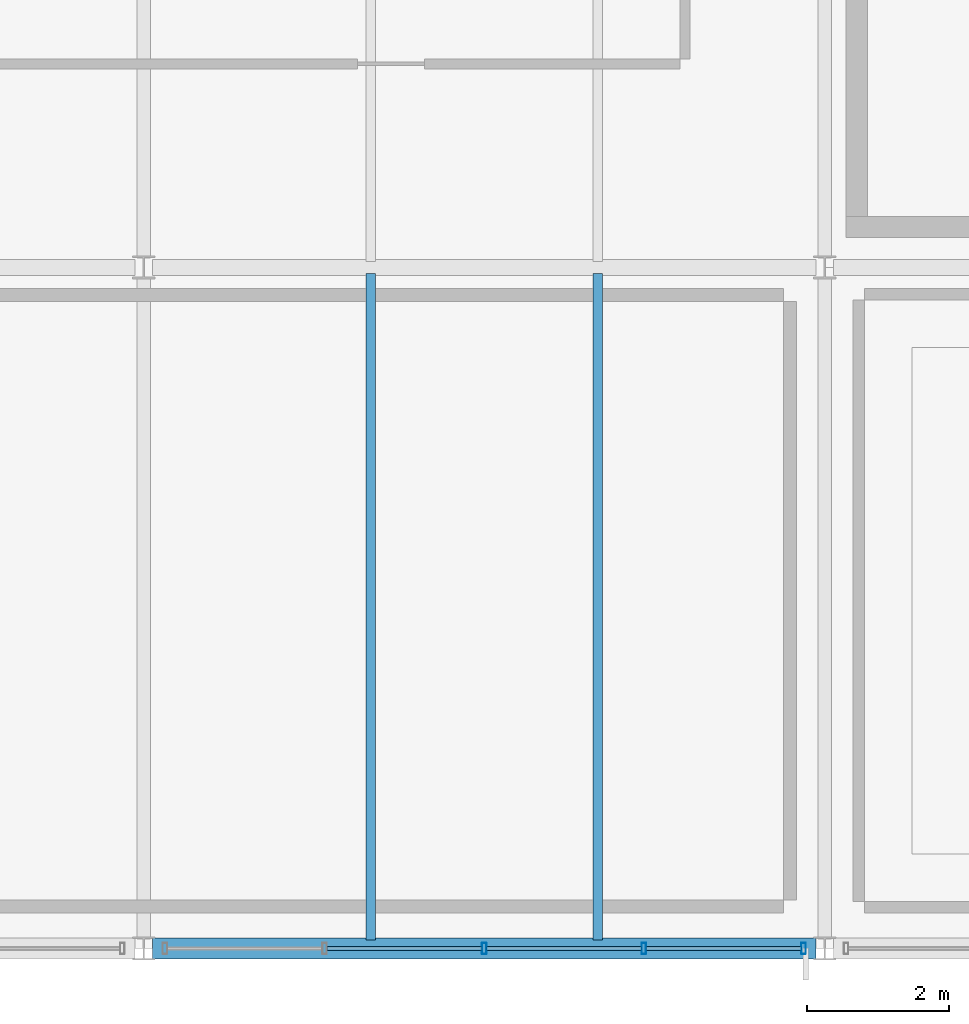
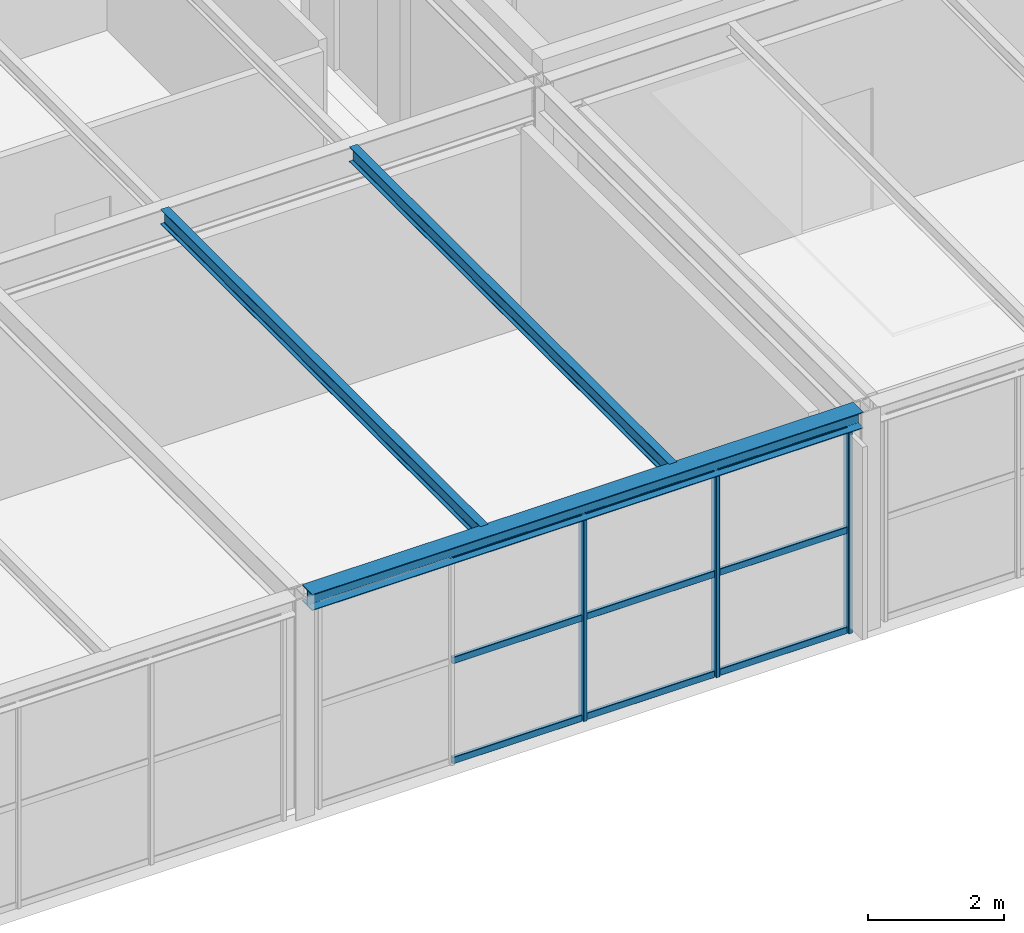
# One storey, part 20 of 50: 12 members, 3 beams, 1 element without a shape of its own.
"""IFC4 building model written with IfcOpenShell, lengths in metres."""

from ifc_helpers import new_model, si_unit, direction, frame, origin, origin_2d, place, context, subcontext, project, spatial, hollow_rectangle, i_section, extrude, material, material_profile, profile_set, type_object, element, aggregate, save


model = new_model("IFC4")

# Units and contexts
model_context = context("Model", 3, precision=1e-05, world=origin(), true_north=direction((0.0, 1.0)))
body_context = subcontext(model_context, "Body", "Model", "MODEL_VIEW")
ifc_project = project(units=[si_unit("LENGTHUNIT", "METRE"), si_unit("AREAUNIT", "SQUARE_METRE"), si_unit("VOLUMEUNIT", "CUBIC_METRE"), si_unit("PLANEANGLEUNIT", "RADIAN"), si_unit("MASSUNIT", "GRAM", prefix="KILO")], contexts=[model_context])

# Site, building, storey
site_placement = place(None, origin())
site = spatial("IfcSite", under=ifc_project, at=site_placement, CompositionType="ELEMENT")
building_placement = place(site_placement, origin())
building = spatial("IfcBuilding", under=site, at=building_placement, Name="Coralgate Yard Interchange", CompositionType="ELEMENT")
storey_placement = place(building_placement, frame((0.0, 0.0, 14.699951171875)))
storey = spatial("IfcBuildingStorey", under=building, at=storey_placement, Name="L03", CompositionType="ELEMENT", Elevation=14.699951171875)

# Beams
ifc_material_1 = material(Name="Structural steel S355J2", Category="steel")
ifc_material_profile_1 = material_profile(ifc_material_1, i_section(OverallWidth=0.135009765625, OverallDepth=0.27001953125, WebThickness=0.006591796875, FlangeThickness=0.01025390625, FilletRadius=0.014892578125, at=origin_2d()), Name="IPE 270")
ifc_profile_set_1 = profile_set([ifc_material_profile_1], Name="Structural steel S355J2")
beam_type_1 = type_object("IfcBeamType", Name="BM-SJ-3", PredefinedType="JOIST", material=ifc_profile_set_1)
for number, where, z_axis, x_axis, name in (
    (1, (41.60009765625, 0.1201171875, 3.81494140625), (0.0, 1.0, 0.0), (-1.0, 0.0, 0.0), "L03 composite floor joist 4-0-1"),
    (2, (44.800048828125, 0.1201171875, 3.81494140625), (0.0, 1.0, 0.0), (-1.0, 0.0, 0.0), "L03 composite floor joist 4-0-2"),
):
    element("IfcBeam", number, at=place(storey_placement, frame(where, z_axis=z_axis, x_axis=x_axis)), inside=storey, type_object=beam_type_1, Name=name, PredefinedType="JOIST", context=body_context, shape_type="SweptSolid", body=[
        extrude(i_section(OverallWidth=0.135009765625, OverallDepth=0.27001953125, WebThickness=0.006591796875, FlangeThickness=0.01025390625, FilletRadius=0.014892578125, at=origin_2d()), origin(), (0.0, 0.0, 1.0), 9.395751953125),
    ])
ifc_material_profile_2 = material_profile(ifc_material_1, i_section(OverallWidth=0.300048828125, OverallDepth=0.2900390625, WebThickness=0.008544921875, FlangeThickness=0.013916015625, FilletRadius=0.027099609375, at=origin_2d()), Name="HEA 300")
ifc_profile_set_2 = profile_set([ifc_material_profile_2], Name="Structural steel S355J2")
beam_type_2 = type_object("IfcBeamType", Name="BM-SP-2", PredefinedType="SPANDREL", material=ifc_profile_set_2)
beam_placement = place(storey_placement, frame((38.525634765625, 0.0, 3.804931640625), z_axis=(1.0, 0.0, 0.0), x_axis=(0.0, 1.0, 0.0)))
element("IfcBeam", 3, at=beam_placement, inside=storey, type_object=beam_type_2, Name="L03 primary grid beam Y0 X4-5", PredefinedType="SPANDREL", context=body_context, shape_type="SweptSolid", body=[
    extrude(i_section(OverallWidth=0.300048828125, OverallDepth=0.2900390625, WebThickness=0.008544921875, FlangeThickness=0.013916015625, FilletRadius=0.027099609375, at=origin_2d()), origin(), (0.0, 0.0, 1.0), 9.348876953125),
])

# Curtain wall, members
ifc_material_2 = material(Name="Anodised coastal aluminium and solar-control low-E glass", Category="aluminium")
curtain_wall_type = type_object("IfcCurtainWallType", Name="CW-CW-L03-A", PredefinedType="NOTDEFINED", material=ifc_material_2)
curtain_wall_placement = place(storey_placement, origin())
curtain_wall = element("IfcCurtainWall", 4, at=curtain_wall_placement, inside=storey, type_object=curtain_wall_type, Name="L03 unitised curtain wall CW-L03-S-04-00", PredefinedType="NOTDEFINED")
ifc_material_3 = material(Name="Anodised coastal aluminium 6063-T6", Category="aluminium")
ifc_material_profile_3 = material_profile(ifc_material_3, hollow_rectangle(XDim=0.06494140625, YDim=0.159912109375, WallThickness=0.00390625, InnerFilletRadius=0.00390625, OuterFilletRadius=0.008056640625, at=origin_2d()), Name="ALU 65x160x4")
ifc_profile_set_3 = profile_set([ifc_material_profile_3], Name="Anodised coastal aluminium 6063-T6")
member_type_1 = type_object("IfcMemberType", Name="MB-MUL-160", PredefinedType="MULLION", material=ifc_profile_set_3)
member_1_placement = place(storey_placement, frame((47.699951171875, 0.0, 0.0), z_axis=(0.0, 0.0, 1.0), x_axis=(1.0, 0.0, 0.0)))
member_1 = element("IfcMember", 5, at=member_1_placement, type_object=member_type_1, Name="CW-L03-S-04-00 vertical mullion 1", PredefinedType="MULLION", context=body_context, shape_type="SweptSolid", body=[
    extrude(hollow_rectangle(XDim=0.06494140625, YDim=0.159912109375, WallThickness=0.00390625, InnerFilletRadius=0.00390625, OuterFilletRadius=0.008056640625, at=origin_2d()), origin(), (0.0, 0.0, 1.0), 3.66015625),
])
member_2_placement = place(storey_placement, frame((45.449951171875, 0.0, 0.0), z_axis=(0.0, 0.0, 1.0), x_axis=(1.0, 0.0, 0.0)))
member_2 = element("IfcMember", 6, at=member_2_placement, type_object=member_type_1, Name="CW-L03-S-04-00 vertical mullion 2", PredefinedType="MULLION", context=body_context, shape_type="SweptSolid", body=[
    extrude(hollow_rectangle(XDim=0.06494140625, YDim=0.159912109375, WallThickness=0.00390625, InnerFilletRadius=0.00390625, OuterFilletRadius=0.008056640625, at=origin_2d()), origin(), (0.0, 0.0, 1.0), 3.66015625),
])
member_3_placement = place(storey_placement, frame((43.199951171875, 0.0, 0.0), z_axis=(0.0, 0.0, 1.0), x_axis=(1.0, 0.0, 0.0)))
member_3 = element("IfcMember", 7, at=member_3_placement, type_object=member_type_1, Name="CW-L03-S-04-00 vertical mullion 3", PredefinedType="MULLION", context=body_context, shape_type="SweptSolid", body=[
    extrude(hollow_rectangle(XDim=0.06494140625, YDim=0.159912109375, WallThickness=0.00390625, InnerFilletRadius=0.00390625, OuterFilletRadius=0.008056640625, at=origin_2d()), origin(), (0.0, 0.0, 1.0), 3.66015625),
])
ifc_material_profile_4 = material_profile(ifc_material_3, hollow_rectangle(XDim=0.06005859375, YDim=0.1201171875, WallThickness=0.00341796875, InnerFilletRadius=0.00341796875, OuterFilletRadius=0.007080078125, at=origin_2d()), Name="ALU 60x120x3.5")
ifc_profile_set_4 = profile_set([ifc_material_profile_4], Name="Anodised coastal aluminium 6063-T6")
member_type_2 = type_object("IfcMemberType", Name="MB-TRN-120", PredefinedType="USERDEFINED", material=ifc_profile_set_4)
member_4_placement = place(storey_placement, frame((47.669921875, 0.0, 0.03515625), z_axis=(-1.0, 0.0, 0.0), x_axis=(0.0, -1.0, 0.0)))
member_4 = element("IfcMember", 8, at=member_4_placement, type_object=member_type_2, Name="CW-L03-S-04-00 horizontal transom 1-1", ObjectType="TRANSOM", PredefinedType="USERDEFINED", context=body_context, shape_type="SweptSolid", body=[
    extrude(hollow_rectangle(XDim=0.06005859375, YDim=0.1201171875, WallThickness=0.00341796875, InnerFilletRadius=0.00341796875, OuterFilletRadius=0.007080078125, at=origin_2d()), origin(), (0.0, 0.0, 1.0), 2.18994140625),
])
member_5_placement = place(storey_placement, frame((47.669921875, 0.0, 1.830078125), z_axis=(-1.0, 0.0, 0.0), x_axis=(0.0, -1.0, 0.0)))
member_5 = element("IfcMember", 9, at=member_5_placement, type_object=member_type_2, Name="CW-L03-S-04-00 horizontal transom 1-2", ObjectType="TRANSOM", PredefinedType="USERDEFINED", context=body_context, shape_type="SweptSolid", body=[
    extrude(hollow_rectangle(XDim=0.06005859375, YDim=0.1201171875, WallThickness=0.00341796875, InnerFilletRadius=0.00341796875, OuterFilletRadius=0.007080078125, at=origin_2d()), origin(), (0.0, 0.0, 1.0), 2.18994140625),
])
member_6_placement = place(storey_placement, frame((47.669921875, 0.0, 3.625), z_axis=(-1.0, 0.0, 0.0), x_axis=(0.0, -1.0, 0.0)))
member_6 = element("IfcMember", 10, at=member_6_placement, type_object=member_type_2, Name="CW-L03-S-04-00 horizontal transom 1-3", ObjectType="TRANSOM", PredefinedType="USERDEFINED", context=body_context, shape_type="SweptSolid", body=[
    extrude(hollow_rectangle(XDim=0.06005859375, YDim=0.1201171875, WallThickness=0.00341796875, InnerFilletRadius=0.00341796875, OuterFilletRadius=0.007080078125, at=origin_2d()), origin(), (0.0, 0.0, 1.0), 2.18994140625),
])
member_7_placement = place(storey_placement, frame((45.419921875, 0.0, 0.03515625), z_axis=(-1.0, 0.0, 0.0), x_axis=(0.0, -1.0, 0.0)))
member_7 = element("IfcMember", 11, at=member_7_placement, type_object=member_type_2, Name="CW-L03-S-04-00 horizontal transom 2-1", ObjectType="TRANSOM", PredefinedType="USERDEFINED", context=body_context, shape_type="SweptSolid", body=[
    extrude(hollow_rectangle(XDim=0.06005859375, YDim=0.1201171875, WallThickness=0.00341796875, InnerFilletRadius=0.00341796875, OuterFilletRadius=0.007080078125, at=origin_2d()), origin(), (0.0, 0.0, 1.0), 2.18994140625),
])
member_8_placement = place(storey_placement, frame((45.419921875, 0.0, 1.830078125), z_axis=(-1.0, 0.0, 0.0), x_axis=(0.0, -1.0, 0.0)))
member_8 = element("IfcMember", 12, at=member_8_placement, type_object=member_type_2, Name="CW-L03-S-04-00 horizontal transom 2-2", ObjectType="TRANSOM", PredefinedType="USERDEFINED", context=body_context, shape_type="SweptSolid", body=[
    extrude(hollow_rectangle(XDim=0.06005859375, YDim=0.1201171875, WallThickness=0.00341796875, InnerFilletRadius=0.00341796875, OuterFilletRadius=0.007080078125, at=origin_2d()), origin(), (0.0, 0.0, 1.0), 2.18994140625),
])
member_9_placement = place(storey_placement, frame((45.419921875, 0.0, 3.625), z_axis=(-1.0, 0.0, 0.0), x_axis=(0.0, -1.0, 0.0)))
member_9 = element("IfcMember", 13, at=member_9_placement, type_object=member_type_2, Name="CW-L03-S-04-00 horizontal transom 2-3", ObjectType="TRANSOM", PredefinedType="USERDEFINED", context=body_context, shape_type="SweptSolid", body=[
    extrude(hollow_rectangle(XDim=0.06005859375, YDim=0.1201171875, WallThickness=0.00341796875, InnerFilletRadius=0.00341796875, OuterFilletRadius=0.007080078125, at=origin_2d()), origin(), (0.0, 0.0, 1.0), 2.18994140625),
])
member_10_placement = place(storey_placement, frame((43.169921875, 0.0, 0.03515625), z_axis=(-1.0, 0.0, 0.0), x_axis=(0.0, -1.0, 0.0)))
member_10 = element("IfcMember", 14, at=member_10_placement, type_object=member_type_2, Name="CW-L03-S-04-00 horizontal transom 3-1", ObjectType="TRANSOM", PredefinedType="USERDEFINED", context=body_context, shape_type="SweptSolid", body=[
    extrude(hollow_rectangle(XDim=0.06005859375, YDim=0.1201171875, WallThickness=0.00341796875, InnerFilletRadius=0.00341796875, OuterFilletRadius=0.007080078125, at=origin_2d()), origin(), (0.0, 0.0, 1.0), 2.18994140625),
])
member_11_placement = place(storey_placement, frame((43.169921875, 0.0, 1.830078125), z_axis=(-1.0, 0.0, 0.0), x_axis=(0.0, -1.0, 0.0)))
member_11 = element("IfcMember", 15, at=member_11_placement, type_object=member_type_2, Name="CW-L03-S-04-00 horizontal transom 3-2", ObjectType="TRANSOM", PredefinedType="USERDEFINED", context=body_context, shape_type="SweptSolid", body=[
    extrude(hollow_rectangle(XDim=0.06005859375, YDim=0.1201171875, WallThickness=0.00341796875, InnerFilletRadius=0.00341796875, OuterFilletRadius=0.007080078125, at=origin_2d()), origin(), (0.0, 0.0, 1.0), 2.18994140625),
])
member_12_placement = place(storey_placement, frame((43.169921875, 0.0, 3.625), z_axis=(-1.0, 0.0, 0.0), x_axis=(0.0, -1.0, 0.0)))
member_12 = element("IfcMember", 16, at=member_12_placement, type_object=member_type_2, Name="CW-L03-S-04-00 horizontal transom 3-3", ObjectType="TRANSOM", PredefinedType="USERDEFINED", context=body_context, shape_type="SweptSolid", body=[
    extrude(hollow_rectangle(XDim=0.06005859375, YDim=0.1201171875, WallThickness=0.00341796875, InnerFilletRadius=0.00341796875, OuterFilletRadius=0.007080078125, at=origin_2d()), origin(), (0.0, 0.0, 1.0), 2.18994140625),
])
aggregate(curtain_wall, [member_1, member_2, member_3, member_4, member_5, member_6, member_7, member_8, member_9, member_10, member_11, member_12])

save(model, "model.ifc")
